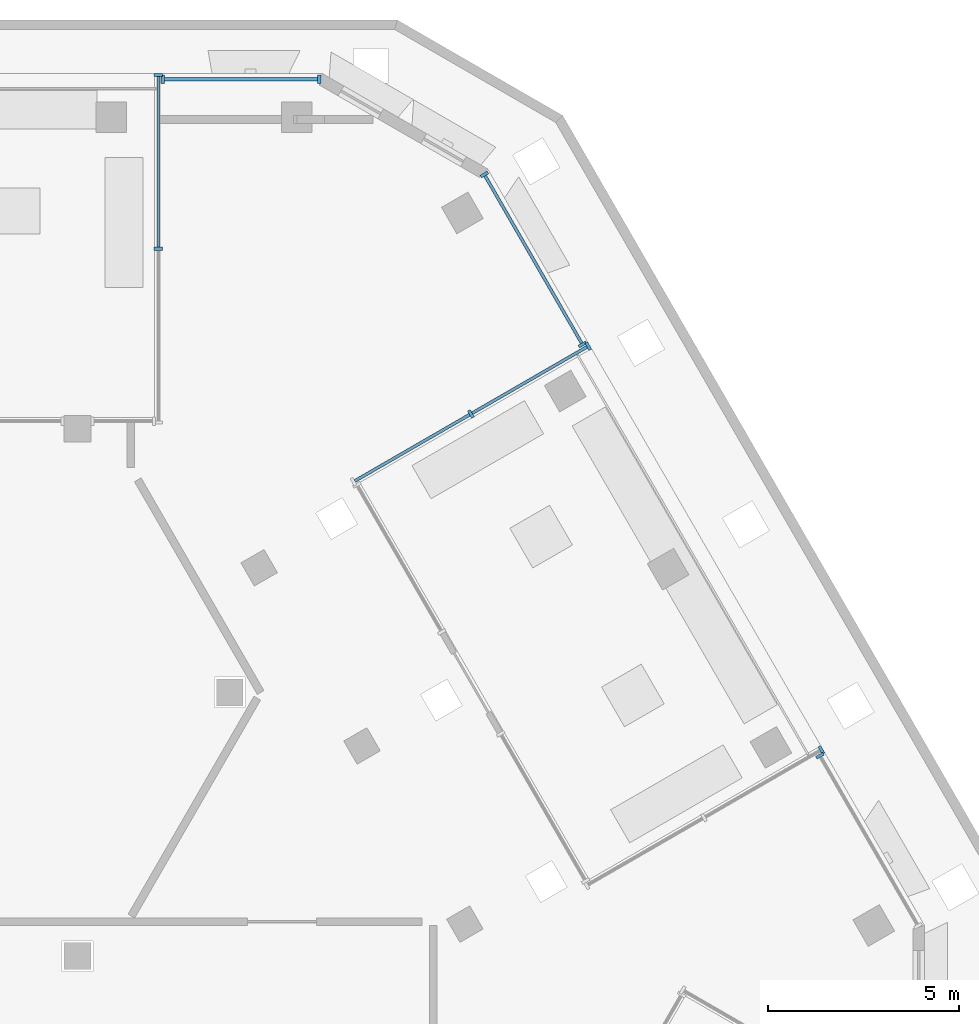
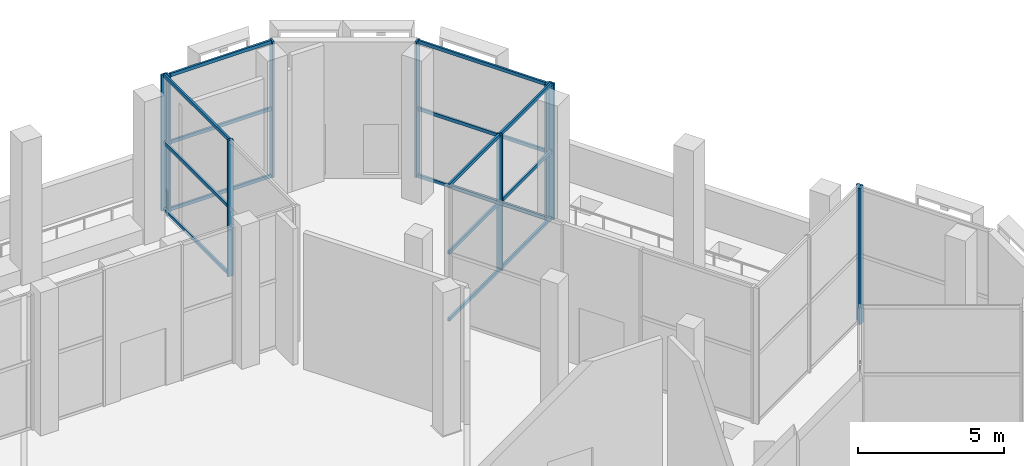
# One storey, part 5 of 23: 25 members, 6 elements without a shape of their own.
"""IFC4 building model written with IfcOpenShell, lengths in metres."""

from ifc_helpers import new_model, si_unit, direction, frame, origin, origin_2d, place, context, subcontext, project, spatial, rectangle, hollow_rectangle, extrude, material, material_profile, profile_set, type_object, element, aggregate, save


model = new_model("IFC4")

# Units and contexts
model_context = context("Model", 3, precision=1e-05, world=origin(), true_north=direction((0.0, 1.0)))
body_context = subcontext(model_context, "Body", "Model", "MODEL_VIEW")
ifc_project = project(units=[si_unit("LENGTHUNIT", "METRE"), si_unit("AREAUNIT", "SQUARE_METRE"), si_unit("VOLUMEUNIT", "CUBIC_METRE"), si_unit("PLANEANGLEUNIT", "RADIAN"), si_unit("MASSUNIT", "GRAM", prefix="KILO")], contexts=[model_context])

# Site, building, storey
site_placement = place(None, origin())
site = spatial("IfcSite", under=ifc_project, at=site_placement, CompositionType="ELEMENT")
building_placement = place(site_placement, origin())
building = spatial("IfcBuilding", under=site, at=building_placement, Name="Beryl Residences", CompositionType="ELEMENT")
storey_placement = place(building_placement, frame((0.0, 0.0, 157.199951171875)))
storey = spatial("IfcBuildingStorey", under=building, at=storey_placement, Name="L48", CompositionType="ELEMENT", Elevation=157.199951171875)

# Curtain wall, members
ifc_material_1 = material(Name="Aluminium and clear glass", Category="aluminium")
curtain_wall_type = type_object("IfcCurtainWallType", Name="CW3 sky garden glazing glazed wall", PredefinedType="NOTDEFINED", material=ifc_material_1)
curtain_wall_1_placement = place(storey_placement, origin())
curtain_wall_1 = element("IfcCurtainWall", 1, at=curtain_wall_1_placement, inside=storey, type_object=curtain_wall_type, Name="CW3 L48 N", PredefinedType="NOTDEFINED")
ifc_material_2 = material(Name="Aluminium", Category="aluminium")
ifc_material_profile_1 = material_profile(ifc_material_2, rectangle(XDim=0.080078125, YDim=0.219970703125, at=origin_2d()))
ifc_profile_set_1 = profile_set([ifc_material_profile_1], Name="Aluminium")
member_type_1 = type_object("IfcMemberType", Name="CW3-M mullion 80 x 220 mm", PredefinedType="MULLION", material=ifc_profile_set_1)
member_1_placement = place(storey_placement, frame((10.31201171875, 24.050048828125, 0.0), z_axis=(0.0, 0.0, 1.0), x_axis=(-1.0, 0.0, 0.0)))
member_1 = element("IfcMember", 2, at=member_1_placement, type_object=member_type_1, Name="CW3 mullion 1", PredefinedType="MULLION", context=body_context, shape_type="SweptSolid", body=[
    extrude(rectangle(XDim=0.080078125, YDim=0.219970703125, at=origin_2d()), origin(), (0.0, 0.0, 1.0), 5.699951171875),
])
member_2_placement = place(storey_placement, frame((6.215087890625, 24.050048828125, 0.0), z_axis=(0.0, 0.0, 1.0), x_axis=(-1.0, 0.0, 0.0)))
member_2 = element("IfcMember", 3, at=member_2_placement, type_object=member_type_1, Name="CW3 mullion 2", PredefinedType="MULLION", context=body_context, shape_type="SweptSolid", body=[
    extrude(rectangle(XDim=0.080078125, YDim=0.219970703125, at=origin_2d()), origin(), (0.0, 0.0, 1.0), 5.699951171875),
])

# Curtain wall, member
curtain_wall_2_placement = place(storey_placement, origin())
curtain_wall_2 = element("IfcCurtainWall", 4, at=curtain_wall_2_placement, inside=storey, type_object=curtain_wall_type, Name="CW3 L48 NE", PredefinedType="NOTDEFINED")
member_3_placement = place(storey_placement, frame((23.416015625, 6.34228515625, 0.0), z_axis=(0.0, 0.0, 1.0), x_axis=(-0.500015649485, 0.866016368361, 0.0)))
member_3 = element("IfcMember", 5, at=member_3_placement, type_object=member_type_1, Name="CW3 mullion 2", PredefinedType="MULLION", context=body_context, shape_type="SweptSolid", body=[
    extrude(rectangle(XDim=0.080078125, YDim=0.219970703125, at=origin_2d()), origin(), (0.0, 0.0, 1.0), 5.699951171875),
])
aggregate(curtain_wall_2, [member_3])

# Curtain wall, members
curtain_wall_3_placement = place(storey_placement, origin())
curtain_wall_3 = element("IfcCurtainWall", 6, at=curtain_wall_3_placement, inside=storey, type_object=curtain_wall_type, Name="CW3 L48 NE", PredefinedType="NOTDEFINED")
member_4_placement = place(storey_placement, frame((17.200927734375, 17.107666015625, 0.0), z_axis=(0.0, 0.0, 1.0), x_axis=(-0.500015649485, 0.866016368361, 0.0)))
member_4 = element("IfcMember", 7, at=member_4_placement, type_object=member_type_1, Name="CW3 mullion 1", PredefinedType="MULLION", context=body_context, shape_type="SweptSolid", body=[
    extrude(rectangle(XDim=0.080078125, YDim=0.219970703125, at=origin_2d()), origin(), (0.0, 0.0, 1.0), 5.699951171875),
])
member_5_placement = place(storey_placement, frame((14.633056640625, 21.555419921875, 0.0), z_axis=(0.0, 0.0, 1.0), x_axis=(-0.500015649485, 0.866016368361, 0.0)))
member_5 = element("IfcMember", 8, at=member_5_placement, type_object=member_type_1, Name="CW3 mullion 2", PredefinedType="MULLION", context=body_context, shape_type="SweptSolid", body=[
    extrude(rectangle(XDim=0.080078125, YDim=0.219970703125, at=origin_2d()), origin(), (0.0, 0.0, 1.0), 5.699951171875),
])

curtain_wall_4_placement = place(storey_placement, origin())
curtain_wall_4 = element("IfcCurtainWall", 9, at=curtain_wall_4_placement, inside=storey, type_object=curtain_wall_type, Name="CW3 L48 N garden left", PredefinedType="NOTDEFINED")
member_6_placement = place(storey_placement, frame((6.10009765625, 24.159912109375, 0.0), z_axis=(0.0, 0.0, 1.0), x_axis=(0.0, -1.0, 0.0)))
member_6 = element("IfcMember", 10, at=member_6_placement, type_object=member_type_1, Name="CW3 mullion 1", PredefinedType="MULLION", context=body_context, shape_type="SweptSolid", body=[
    extrude(rectangle(XDim=0.080078125, YDim=0.219970703125, at=origin_2d()), origin(), (0.0, 0.0, 1.0), 5.699951171875),
])
member_7_placement = place(storey_placement, frame((6.10009765625, 19.612548828125, 0.0), z_axis=(0.0, 0.0, 1.0), x_axis=(0.0, -1.0, 0.0)))
member_7 = element("IfcMember", 11, at=member_7_placement, type_object=member_type_1, Name="CW3 mullion 2", PredefinedType="MULLION", context=body_context, shape_type="SweptSolid", body=[
    extrude(rectangle(XDim=0.080078125, YDim=0.219970703125, at=origin_2d()), origin(), (0.0, 0.0, 1.0), 5.699951171875),
])

# Curtain wall, member
curtain_wall_5_placement = place(storey_placement, origin())
curtain_wall_5 = element("IfcCurtainWall", 12, at=curtain_wall_5_placement, inside=storey, type_object=curtain_wall_type, Name="CW3 L48 NE garden left", PredefinedType="NOTDEFINED")
member_8_placement = place(storey_placement, frame((23.453369140625, 6.4970703125, 0.0), z_axis=(0.0, 0.0, 1.0), x_axis=(-0.866064904776, -0.499931576033, 0.0)))
member_8 = element("IfcMember", 13, at=member_8_placement, type_object=member_type_1, Name="CW3 mullion 1", PredefinedType="MULLION", context=body_context, shape_type="SweptSolid", body=[
    extrude(rectangle(XDim=0.080078125, YDim=0.219970703125, at=origin_2d()), origin(), (0.0, 0.0, 1.0), 5.699951171875),
])
aggregate(curtain_wall_5, [member_8])

# Curtain wall, members
curtain_wall_6_placement = place(storey_placement, origin())
curtain_wall_6 = element("IfcCurtainWall", 14, at=curtain_wall_6_placement, inside=storey, type_object=curtain_wall_type, Name="CW3 L48 NE garden right", PredefinedType="NOTDEFINED")
member_9_placement = place(storey_placement, frame((17.353271484375, 17.06298828125, 0.0), z_axis=(0.0, 0.0, 1.0), x_axis=(-0.866004557823, -0.500036104527, 0.0)))
member_9 = element("IfcMember", 15, at=member_9_placement, type_object=member_type_1, Name="CW3 mullion 1", PredefinedType="MULLION", context=body_context, shape_type="SweptSolid", body=[
    extrude(rectangle(XDim=0.080078125, YDim=0.219970703125, at=origin_2d()), origin(), (0.0, 0.0, 1.0), 5.699951171875),
])
member_10_placement = place(storey_placement, frame((14.281005859375, 15.2890625, 0.0), z_axis=(0.0, 0.0, 1.0), x_axis=(-0.866004557823, -0.500036104527, 0.0)))
member_10 = element("IfcMember", 16, at=member_10_placement, type_object=member_type_1, Name="CW3 mullion 2", PredefinedType="MULLION", context=body_context, shape_type="SweptSolid", body=[
    extrude(rectangle(XDim=0.080078125, YDim=0.219970703125, at=origin_2d()), origin(), (0.0, 0.0, 1.0), 5.699951171875),
])

# Member
ifc_material_3 = material(Name="Aluminium", Category="aluminium")
ifc_material_profile_2 = material_profile(ifc_material_3, hollow_rectangle(XDim=0.080078125, YDim=0.139892578125, WallThickness=0.00390625, at=origin_2d()))
ifc_profile_set_2 = profile_set([ifc_material_profile_2], Name="Aluminium")
member_type_2 = type_object("IfcMemberType", Name="CW3-T transom 80 x 140 mm", PredefinedType="USERDEFINED", material=ifc_profile_set_2)
member_11_placement = place(storey_placement, frame((10.27197265625, 24.050048828125, 0.0400390625), z_axis=(-1.0, 0.0, 0.0), x_axis=(0.0, -1.0, 0.0)))
member_11 = element("IfcMember", 17, at=member_11_placement, type_object=member_type_2, Name="CW3 transom 1.1", ObjectType="TRANSOM", PredefinedType="USERDEFINED", context=body_context, shape_type="SweptSolid", body=[
    extrude(hollow_rectangle(XDim=0.080078125, YDim=0.139892578125, WallThickness=0.00390625, at=origin_2d()), origin(), (0.0, 0.0, 1.0), 4.01708984375),
])

member_12_placement = place(storey_placement, frame((10.27197265625, 24.050048828125, 2.85009765625), z_axis=(-1.0, 0.0, 0.0), x_axis=(0.0, -1.0, 0.0)))
member_12 = element("IfcMember", 18, at=member_12_placement, type_object=member_type_2, Name="CW3 transom 1.2", ObjectType="TRANSOM", PredefinedType="USERDEFINED", context=body_context, shape_type="SweptSolid", body=[
    extrude(hollow_rectangle(XDim=0.080078125, YDim=0.139892578125, WallThickness=0.00390625, at=origin_2d()), origin(), (0.0, 0.0, 1.0), 4.01708984375),
])

member_13_placement = place(storey_placement, frame((10.27197265625, 24.050048828125, 5.66015625), z_axis=(-1.0, 0.0, 0.0), x_axis=(0.0, -1.0, 0.0)))
member_13 = element("IfcMember", 19, at=member_13_placement, type_object=member_type_2, Name="CW3 transom 1.3", ObjectType="TRANSOM", PredefinedType="USERDEFINED", context=body_context, shape_type="SweptSolid", body=[
    extrude(hollow_rectangle(XDim=0.080078125, YDim=0.139892578125, WallThickness=0.00390625, at=origin_2d()), origin(), (0.0, 0.0, 1.0), 4.01708984375),
])

aggregate(curtain_wall_1, [member_1, member_2, member_11, member_12, member_13])

member_14_placement = place(storey_placement, frame((17.180908203125, 17.142333984375, 0.0400390625), z_axis=(-0.499992766374, 0.86602958008, 0.0), x_axis=(-0.86602958008, -0.499992766374, 0.0)))
member_14 = element("IfcMember", 20, at=member_14_placement, type_object=member_type_2, Name="CW3 transom 1.1", ObjectType="TRANSOM", PredefinedType="USERDEFINED", context=body_context, shape_type="SweptSolid", body=[
    extrude(hollow_rectangle(XDim=0.080078125, YDim=0.139892578125, WallThickness=0.00390625, at=origin_2d()), origin(), (0.0, 0.0, 1.0), 5.0556640625),
])

member_15_placement = place(storey_placement, frame((17.180908203125, 17.142333984375, 2.85009765625), z_axis=(-0.499992766374, 0.86602958008, 0.0), x_axis=(-0.86602958008, -0.499992766374, 0.0)))
member_15 = element("IfcMember", 21, at=member_15_placement, type_object=member_type_2, Name="CW3 transom 1.2", ObjectType="TRANSOM", PredefinedType="USERDEFINED", context=body_context, shape_type="SweptSolid", body=[
    extrude(hollow_rectangle(XDim=0.080078125, YDim=0.139892578125, WallThickness=0.00390625, at=origin_2d()), origin(), (0.0, 0.0, 1.0), 5.0556640625),
])

member_16_placement = place(storey_placement, frame((17.180908203125, 17.142333984375, 5.66015625), z_axis=(-0.499992766374, 0.86602958008, 0.0), x_axis=(-0.86602958008, -0.499992766374, 0.0)))
member_16 = element("IfcMember", 22, at=member_16_placement, type_object=member_type_2, Name="CW3 transom 1.3", ObjectType="TRANSOM", PredefinedType="USERDEFINED", context=body_context, shape_type="SweptSolid", body=[
    extrude(hollow_rectangle(XDim=0.080078125, YDim=0.139892578125, WallThickness=0.00390625, at=origin_2d()), origin(), (0.0, 0.0, 1.0), 5.0556640625),
])

aggregate(curtain_wall_3, [member_4, member_5, member_14, member_15, member_16])

member_17_placement = place(storey_placement, frame((6.10009765625, 24.1201171875, 0.0400390625), z_axis=(0.0, -1.0, 0.0), x_axis=(1.0, 0.0, 0.0)))
member_17 = element("IfcMember", 23, at=member_17_placement, type_object=member_type_2, Name="CW3 transom 1.1", ObjectType="TRANSOM", PredefinedType="USERDEFINED", context=body_context, shape_type="SweptSolid", body=[
    extrude(hollow_rectangle(XDim=0.080078125, YDim=0.139892578125, WallThickness=0.00390625, at=origin_2d()), origin(), (0.0, 0.0, 1.0), 4.467529296875),
])

member_18_placement = place(storey_placement, frame((6.10009765625, 24.1201171875, 2.85009765625), z_axis=(0.0, -1.0, 0.0), x_axis=(1.0, 0.0, 0.0)))
member_18 = element("IfcMember", 24, at=member_18_placement, type_object=member_type_2, Name="CW3 transom 1.2", ObjectType="TRANSOM", PredefinedType="USERDEFINED", context=body_context, shape_type="SweptSolid", body=[
    extrude(hollow_rectangle(XDim=0.080078125, YDim=0.139892578125, WallThickness=0.00390625, at=origin_2d()), origin(), (0.0, 0.0, 1.0), 4.467529296875),
])

member_19_placement = place(storey_placement, frame((6.10009765625, 24.1201171875, 5.66015625), z_axis=(0.0, -1.0, 0.0), x_axis=(1.0, 0.0, 0.0)))
member_19 = element("IfcMember", 25, at=member_19_placement, type_object=member_type_2, Name="CW3 transom 1.3", ObjectType="TRANSOM", PredefinedType="USERDEFINED", context=body_context, shape_type="SweptSolid", body=[
    extrude(hollow_rectangle(XDim=0.080078125, YDim=0.139892578125, WallThickness=0.00390625, at=origin_2d()), origin(), (0.0, 0.0, 1.0), 4.467529296875),
])

aggregate(curtain_wall_4, [member_6, member_7, member_17, member_18, member_19])

member_20_placement = place(storey_placement, frame((17.318603515625, 17.04296875, 0.0400390625), z_axis=(-0.866007364299, -0.500031244004, 0.0), x_axis=(0.500031244004, -0.866007364299, 0.0)))
member_20 = element("IfcMember", 26, at=member_20_placement, type_object=member_type_2, Name="CW3 transom 1.1", ObjectType="TRANSOM", PredefinedType="USERDEFINED", context=body_context, shape_type="SweptSolid", body=[
    extrude(hollow_rectangle(XDim=0.080078125, YDim=0.139892578125, WallThickness=0.00390625, at=origin_2d()), origin(), (0.0, 0.0, 1.0), 3.467529296875),
])

member_21_placement = place(storey_placement, frame((17.318603515625, 17.04296875, 2.85009765625), z_axis=(-0.866007364299, -0.500031244004, 0.0), x_axis=(0.500031244004, -0.866007364299, 0.0)))
member_21 = element("IfcMember", 27, at=member_21_placement, type_object=member_type_2, Name="CW3 transom 1.2", ObjectType="TRANSOM", PredefinedType="USERDEFINED", context=body_context, shape_type="SweptSolid", body=[
    extrude(hollow_rectangle(XDim=0.080078125, YDim=0.139892578125, WallThickness=0.00390625, at=origin_2d()), origin(), (0.0, 0.0, 1.0), 3.467529296875),
])

member_22_placement = place(storey_placement, frame((17.318603515625, 17.04296875, 5.66015625), z_axis=(-0.866007364299, -0.500031244004, 0.0), x_axis=(0.500031244004, -0.866007364299, 0.0)))
member_22 = element("IfcMember", 28, at=member_22_placement, type_object=member_type_2, Name="CW3 transom 1.3", ObjectType="TRANSOM", PredefinedType="USERDEFINED", context=body_context, shape_type="SweptSolid", body=[
    extrude(hollow_rectangle(XDim=0.080078125, YDim=0.139892578125, WallThickness=0.00390625, at=origin_2d()), origin(), (0.0, 0.0, 1.0), 3.467529296875),
])

member_23_placement = place(storey_placement, frame((14.246337890625, 15.26904296875, 0.0400390625), z_axis=(-0.865994480786, -0.50005355638, 0.0), x_axis=(0.50005355638, -0.865994480786, 0.0)))
member_23 = element("IfcMember", 29, at=member_23_placement, type_object=member_type_2, Name="CW3 transom 2.1", ObjectType="TRANSOM", PredefinedType="USERDEFINED", context=body_context, shape_type="SweptSolid", body=[
    extrude(hollow_rectangle(XDim=0.080078125, YDim=0.139892578125, WallThickness=0.00390625, at=origin_2d()), origin(), (0.0, 0.0, 1.0), 3.4677734375),
])

member_24_placement = place(storey_placement, frame((14.246337890625, 15.26904296875, 2.85009765625), z_axis=(-0.865994480786, -0.50005355638, 0.0), x_axis=(0.50005355638, -0.865994480786, 0.0)))
member_24 = element("IfcMember", 30, at=member_24_placement, type_object=member_type_2, Name="CW3 transom 2.2", ObjectType="TRANSOM", PredefinedType="USERDEFINED", context=body_context, shape_type="SweptSolid", body=[
    extrude(hollow_rectangle(XDim=0.080078125, YDim=0.139892578125, WallThickness=0.00390625, at=origin_2d()), origin(), (0.0, 0.0, 1.0), 3.4677734375),
])

member_25_placement = place(storey_placement, frame((14.246337890625, 15.26904296875, 5.66015625), z_axis=(-0.865994480786, -0.50005355638, 0.0), x_axis=(0.50005355638, -0.865994480786, 0.0)))
member_25 = element("IfcMember", 31, at=member_25_placement, type_object=member_type_2, Name="CW3 transom 2.3", ObjectType="TRANSOM", PredefinedType="USERDEFINED", context=body_context, shape_type="SweptSolid", body=[
    extrude(hollow_rectangle(XDim=0.080078125, YDim=0.139892578125, WallThickness=0.00390625, at=origin_2d()), origin(), (0.0, 0.0, 1.0), 3.4677734375),
])

aggregate(curtain_wall_6, [member_9, member_10, member_20, member_21, member_22, member_23, member_24, member_25])

save(model, "model.ifc")
